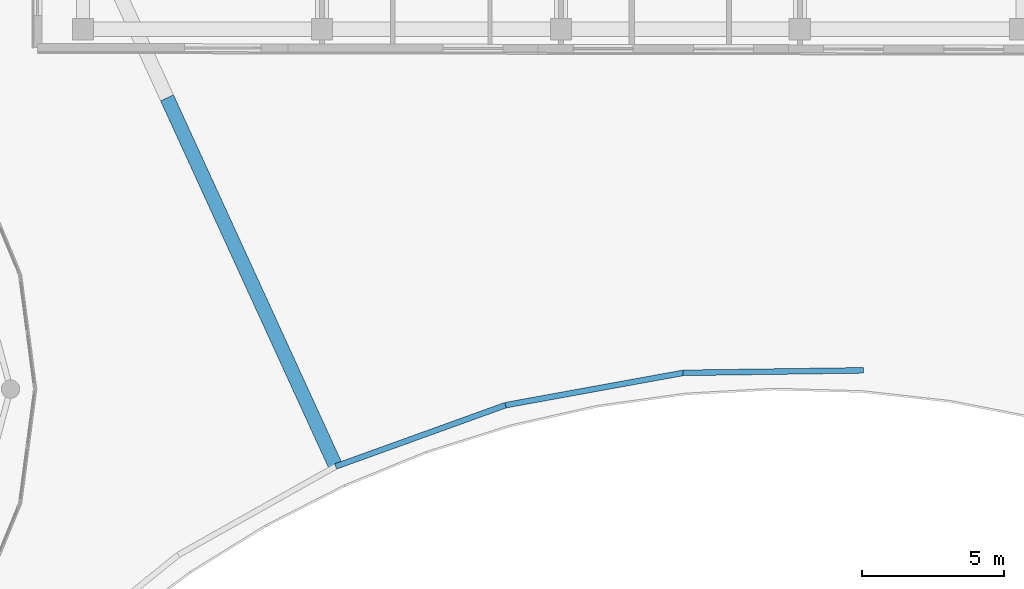
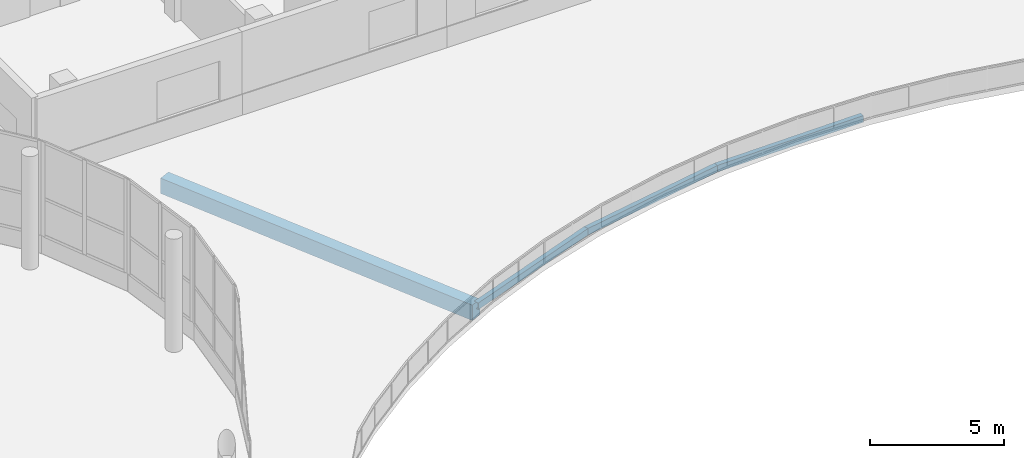
# One storey, part 18 of 101: 4 beams.
"""IFC4 building model written with IfcOpenShell, lengths in metres."""

from ifc_helpers import new_model, si_unit, direction, frame, origin, origin_2d, place, context, subcontext, project, spatial, rectangle, hollow_rectangle, extrude, material, material_profile, profile_set, type_object, element, save


model = new_model("IFC4")

# Units and contexts
model_context = context("Model", 3, precision=1e-05, world=origin(), true_north=direction((0.0, 1.0)))
body_context = subcontext(model_context, "Body", "Model", "MODEL_VIEW")
ifc_project = project(units=[si_unit("LENGTHUNIT", "METRE"), si_unit("AREAUNIT", "SQUARE_METRE"), si_unit("VOLUMEUNIT", "CUBIC_METRE"), si_unit("PLANEANGLEUNIT", "RADIAN"), si_unit("MASSUNIT", "GRAM", prefix="KILO")], contexts=[model_context])

# Site, building, storey
site_placement = place(None, origin())
site = spatial("IfcSite", under=ifc_project, at=site_placement, CompositionType="ELEMENT")
building_placement = place(site_placement, origin())
building = spatial("IfcBuilding", under=site, at=building_placement, Name="Selatvlak General Hospital", CompositionType="ELEMENT")
storey_placement = place(building_placement, frame((0.0, 0.0, 19.199951171875)))
storey = spatial("IfcBuildingStorey", under=building, at=storey_placement, Name="L04", CompositionType="ELEMENT", Elevation=19.199951171875)

# Beams
ifc_material_1 = material(Name="Concrete C40/50", Category="concrete")
ifc_material_profile_1 = material_profile(ifc_material_1, rectangle(XDim=0.5, YDim=0.699951171875, at=origin_2d()), Name="RC-BM 500x700")
ifc_profile_set_1 = profile_set([ifc_material_profile_1], Name="Concrete C40/50")
beam_type_1 = type_object("IfcBeamType", Name="BM-G03", PredefinedType="BEAM", material=ifc_profile_set_1)
beam_1_placement = place(storey_placement, frame((118.153076171875, 64.238037109375, -0.639892578125), z_axis=(0.416206307352, -0.909270207211, 0.0), x_axis=(0.909270207211, 0.416206307352, 0.0)))
element("IfcBeam", 1, at=beam_1_placement, inside=storey, type_object=beam_type_1, Name="Beam BMR-L04-1821", PredefinedType="BEAM", context=body_context, shape_type="SweptSolid", body=[
    extrude(rectangle(XDim=0.5, YDim=0.699951171875, at=origin_2d()), origin(), (0.0, 0.0, 1.0), 14.25),
])
ifc_material_2 = material(Name="Steel S355", Category="steel")
ifc_material_profile_2 = material_profile(ifc_material_2, hollow_rectangle(XDim=0.199951171875, YDim=0.300048828125, WallThickness=0.011962890625, at=origin_2d()), Name="RHS 300x200x12")
ifc_profile_set_2 = profile_set([ifc_material_profile_2], Name="Steel S355")
beam_type_2 = type_object("IfcBeamType", Name="BM-SP3", PredefinedType="SPANDREL", material=ifc_profile_set_2)
beam_2_placement = place(storey_placement, frame((124.083984375, 51.281005859375, -0.43994140625), z_axis=(0.94065259152, 0.339371038933, 0.0), x_axis=(-0.339371038933, 0.94065259152, 0.0)))
element("IfcBeam", 2, at=beam_2_placement, inside=storey, type_object=beam_type_2, Name="Beam BMR-L04-1849", PredefinedType="SPANDREL", context=body_context, shape_type="SweptSolid", body=[
    extrude(hollow_rectangle(XDim=0.199951171875, YDim=0.300048828125, WallThickness=0.011962890625, at=origin_2d()), origin(), (0.0, 0.0, 1.0), 6.341552734375),
])
beam_3_placement = place(storey_placement, frame((130.049072265625, 53.43310546875, -0.43994140625), z_axis=(0.98381754343, 0.179173215743, 0.0), x_axis=(-0.179173215743, 0.98381754343, 0.0)))
element("IfcBeam", 3, at=beam_3_placement, inside=storey, type_object=beam_type_2, Name="Beam BMR-L04-1850", PredefinedType="SPANDREL", context=body_context, shape_type="SweptSolid", body=[
    extrude(hollow_rectangle(XDim=0.199951171875, YDim=0.300048828125, WallThickness=0.011962890625, at=origin_2d()), origin(), (0.0, 0.0, 1.0), 6.345703125),
])
beam_4_placement = place(storey_placement, frame((136.2919921875, 54.570068359375, -0.43994140625), z_axis=(0.999901810608, 0.014013177494, 0.0), x_axis=(-0.014013177494, 0.999901810608, 0.0)))
element("IfcBeam", 4, at=beam_4_placement, inside=storey, type_object=beam_type_2, Name="Beam BMR-L04-1851", PredefinedType="SPANDREL", context=body_context, shape_type="SweptSolid", body=[
    extrude(hollow_rectangle(XDim=0.199951171875, YDim=0.300048828125, WallThickness=0.011962890625, at=origin_2d()), origin(), (0.0, 0.0, 1.0), 6.341796875),
])

save(model, "model.ifc")
